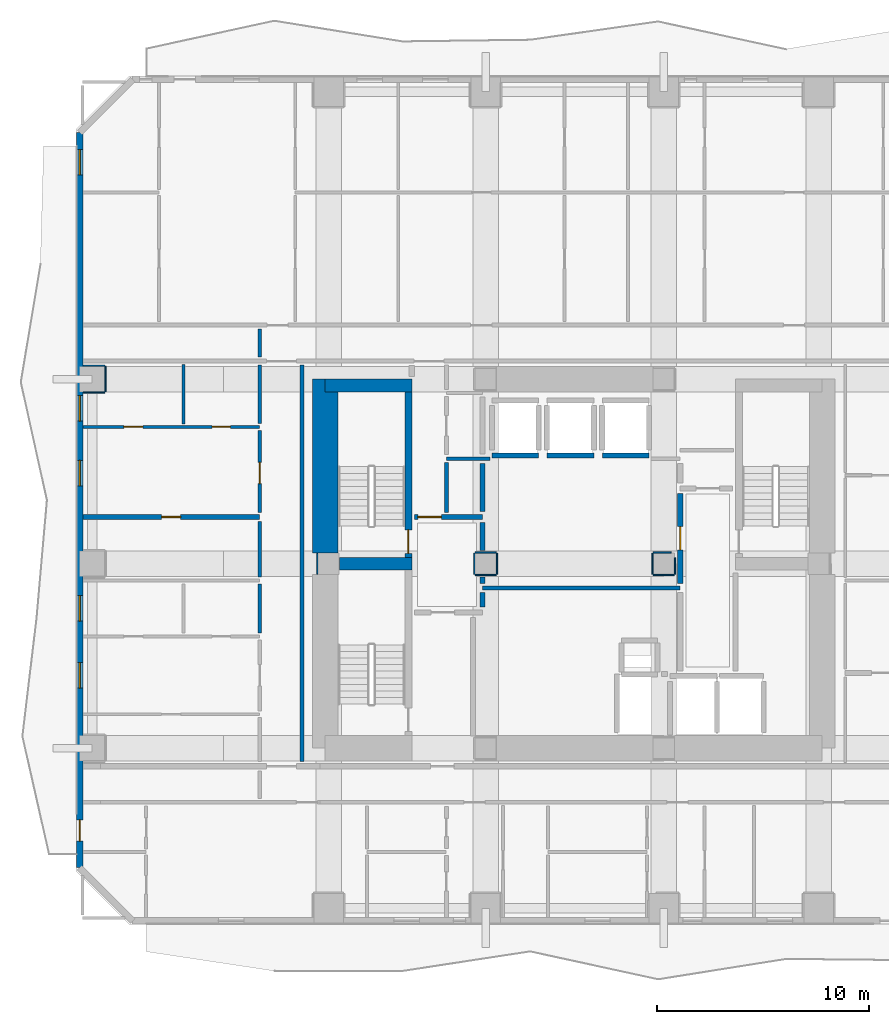
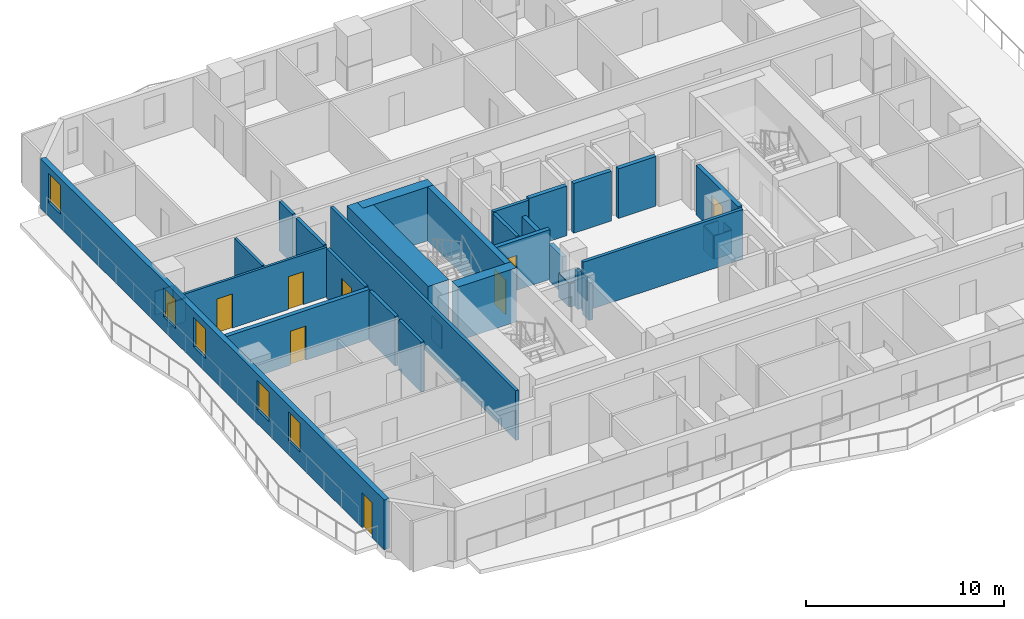
# One storey, part 4 of 12: 38 walls, 8 doors, 5 windows, 13 openings.
"""IFC4 building model written with IfcOpenShell, lengths in metres."""

from ifc_helpers import new_model, si_unit, direction, frame, frame_2d, origin, place, context, subcontext, project, spatial, rectangle, extrude, material, layer, layer_set, type_object, element, fill, save


model = new_model("IFC4")

# Units and contexts
model_context = context("Model", 3, precision=1e-05, world=origin(), true_north=direction((0.0, 1.0)))
body_context = subcontext(model_context, "Body", "Model", "MODEL_VIEW")
ifc_project = project(units=[si_unit("LENGTHUNIT", "METRE"), si_unit("AREAUNIT", "SQUARE_METRE"), si_unit("VOLUMEUNIT", "CUBIC_METRE"), si_unit("PLANEANGLEUNIT", "RADIAN"), si_unit("MASSUNIT", "GRAM", prefix="KILO")], contexts=[model_context])

# Site, building, storey
site_placement = place(None, origin())
site = spatial("IfcSite", under=ifc_project, at=site_placement, CompositionType="ELEMENT")
building_placement = place(site_placement, origin())
building = spatial("IfcBuilding", under=site, at=building_placement, Name="Solanera Arch Residences", CompositionType="ELEMENT")
storey_placement = place(building_placement, frame((0.0, 0.0, 81.760009765625)))
storey = spatial("IfcBuildingStorey", under=building, at=storey_placement, Name="L23", CompositionType="ELEMENT", Elevation=81.760009765625)

# Walls
ifc_material_1 = material(Name="Fire-Rated Gypsum Stud Partition", Category="gypsum")
ifc_layer_1 = layer(ifc_material_1, 0.06005859375)
ifc_layer_set_1 = layer_set([ifc_layer_1], Name="Fire-Rated Gypsum Stud Partition")
wall_type_1 = type_object("IfcWallType", Name="Column Acoustic Furring Wall 60", PredefinedType="PARTITIONING", material=ifc_layer_set_1)
wall_1_placement = place(storey_placement, frame((12.867919921875, 30.2099609375, 0.0), z_axis=(0.0, 0.0, 1.0), x_axis=(0.0, 1.0, 0.0)))
element("IfcWall", 1, at=wall_1_placement, inside=storey, type_object=wall_type_1, Name="L23 Column Furring 5W", PredefinedType="PARTITIONING", context=body_context, shape_type="SweptSolid", body=[
    extrude(rectangle(XDim=0.97998046875, YDim=0.06005859375, at=frame_2d((0.489990234375, 0.0))), origin(), (0.0, 0.0, 1.0), 1.449951171875),
])
for number, where, z_axis, x_axis, name in (
    (2, (20.300048828125, 30.16796875, 0.0), (0.0, 0.0, 1.0), (1.0, 0.0, 0.0), "L23 Column Furring 7S"),
    (3, (20.300048828125, 31.23193359375, 0.0), (0.0, 0.0, 1.0), (1.0, 0.0, 0.0), "L23 Column Furring 7N"),
    (4, (20.26806640625, 30.199951171875, 0.0), (0.0, 0.0, 1.0), (0.0, 1.0, 0.0), "L23 Column Furring 7W"),
    (5, (21.33203125, 30.199951171875, 0.0), (0.0, 0.0, 1.0), (0.0, 1.0, 0.0), "L23 Column Furring 7E"),
    (6, (28.699951171875, 30.16796875, 0.0), (0.0, 0.0, 1.0), (1.0, 0.0, 0.0), "L23 Column Furring 8S"),
):
    element("IfcWall", number, at=place(storey_placement, frame(where, z_axis=z_axis, x_axis=x_axis)), inside=storey, type_object=wall_type_1, Name=name, PredefinedType="PARTITIONING", context=body_context, shape_type="SweptSolid", body=[
        extrude(rectangle(XDim=1.0, YDim=0.06005859375, at=frame_2d((0.5, 0.0))), origin(), (0.0, 0.0, 1.0), 1.449951171875),
    ])
wall_2_placement = place(storey_placement, frame((28.699951171875, 31.23193359375, 0.0), z_axis=(0.0, 0.0, 1.0), x_axis=(1.0, 0.0, 0.0)))
element("IfcWall", 7, at=wall_2_placement, inside=storey, type_object=wall_type_1, Name="L23 Column Furring 8N", PredefinedType="PARTITIONING", context=body_context, shape_type="SweptSolid", body=[
    extrude(rectangle(XDim=0.841064453125, YDim=0.06005859375, at=frame_2d((0.42041015625, 0.0))), origin(), (0.0, 0.0, 1.0), 1.449951171875),
])
wall_3_placement = place(storey_placement, frame((28.66796875, 30.199951171875, 0.0), z_axis=(0.0, 0.0, 1.0), x_axis=(0.0, 1.0, 0.0)))
element("IfcWall", 8, at=wall_3_placement, inside=storey, type_object=wall_type_1, Name="L23 Column Furring 8W", PredefinedType="PARTITIONING", context=body_context, shape_type="SweptSolid", body=[
    extrude(rectangle(XDim=1.0, YDim=0.06005859375, at=frame_2d((0.5, 0.0))), origin(), (0.0, 0.0, 1.0), 1.449951171875),
])
wall_4_placement = place(storey_placement, frame((29.73193359375, 30.199951171875, 0.0), z_axis=(0.0, 0.0, 1.0), x_axis=(0.0, 1.0, 0.0)))
element("IfcWall", 9, at=wall_4_placement, inside=storey, type_object=wall_type_1, Name="L23 Column Furring 8E", PredefinedType="PARTITIONING", context=body_context, shape_type="SweptSolid", body=[
    extrude(rectangle(XDim=0.77197265625, YDim=0.06005859375, at=frame_2d((0.385986328125, 0.0))), origin(), (0.0, 0.0, 1.0), 1.449951171875),
])
for number, where, z_axis, x_axis, name in (
    (10, (1.830078125, 38.76806640625, 0.0), (0.0, 0.0, 1.0), (1.0, 0.0, 0.0), "L23 Column Furring 21S"),
    (11, (1.830078125, 40.031982421875, 0.0), (0.0, 0.0, 1.0), (1.0, 0.0, 0.0), "L23 Column Furring 21N"),
):
    element("IfcWall", number, at=place(storey_placement, frame(where, z_axis=z_axis, x_axis=x_axis)), inside=storey, type_object=wall_type_1, Name=name, PredefinedType="PARTITIONING", context=body_context, shape_type="SweptSolid", body=[
        extrude(rectangle(XDim=1.02001953125, YDim=0.06005859375, at=frame_2d((0.510009765625, 0.0))), origin(), (0.0, 0.0, 1.0), 1.449951171875),
    ])
wall_5_placement = place(storey_placement, frame((2.882080078125, 38.800048828125, 0.0), z_axis=(0.0, 0.0, 1.0), x_axis=(0.0, 1.0, 0.0)))
element("IfcWall", 12, at=wall_5_placement, inside=storey, type_object=wall_type_1, Name="L23 Column Furring 21E", PredefinedType="PARTITIONING", context=body_context, shape_type="SweptSolid", body=[
    extrude(rectangle(XDim=1.199951171875, YDim=0.06005859375, at=frame_2d((0.60009765625, 0.0))), origin(), (0.0, 0.0, 1.0), 1.449951171875),
])
ifc_material_2 = material(Name="Concrete C55/67 (f'c = 60 MPa)", Category="concrete")
ifc_layer_2 = layer(ifc_material_2, 1.199951171875)
ifc_layer_set_2 = layer_set([ifc_layer_2], Name="Concrete C55/67 (f'c = 60 MPa)")
wall_type_2 = type_object("IfcWallType", Name="Core Shear Wall CW-1200", PredefinedType="SHEAR", material=ifc_layer_set_2)
wall_6_placement = place(storey_placement, frame((13.239990234375, 31.205078125, 0.0), z_axis=(0.0, 0.0, 1.0), x_axis=(0.0, 1.0, 0.0)))
element("IfcWall", 13, at=wall_6_placement, inside=storey, type_object=wall_type_2, Name="L23 West Core North Shear Wall", PredefinedType="SHEAR", context=body_context, shape_type="SweptSolid", body=[
    extrude(rectangle(XDim=8.19482421875, YDim=1.199951171875, at=frame_2d((4.097412109375, 0.0))), origin(), (0.0, 0.0, 1.0), 3.320068359375),
])

# Wall, opening, door
ifc_material_3 = material(Name="Concrete C40/50 (f'c = 45 MPa)", Category="concrete")
ifc_layer_3 = layer(ifc_material_3, 0.320068359375)
ifc_layer_set_3 = layer_set([ifc_layer_3], Name="Concrete C40/50 (f'c = 45 MPa)")
wall_type_3 = type_object("IfcWallType", Name="Core Shear Wall CW-320", PredefinedType="SHEAR", material=ifc_layer_set_3)
wall_7_placement = place(storey_placement, frame((17.159912109375, 31.0, 0.0), z_axis=(0.0, 0.0, 1.0), x_axis=(0.0, 1.0, 0.0)))
wall_7 = element("IfcWall", 14, at=wall_7_placement, inside=storey, type_object=wall_type_3, Name="L23 Stair ST-T1 East Shear Wall", PredefinedType="SHEAR", context=body_context, shape_type="SweptSolid", body=[
    extrude(rectangle(XDim=7.800048828125, YDim=0.320068359375, at=frame_2d((3.89990234375, 0.0))), origin(), (0.0, 0.0, 1.0), 3.320068359375),
])
opening_1_placement = place(wall_7_placement, frame((0.18994140625, 0.0, 0.0)))
opening_1 = element("IfcOpeningElement", 15, at=opening_1_placement, cuts=wall_7, Name="Opening DF-01", PredefinedType="OPENING", context=body_context, shape_type="SweptSolid", body=[
    extrude(rectangle(XDim=1.10009765625, YDim=2.14990234375, at=frame_2d((0.550048828125, 1.074951171875))), frame((0.0, 0.169921875, 0.0), z_axis=(0.0, -1.0, 0.0), x_axis=(1.0, 0.0, 0.0)), (0.0, 0.0, 1.0), 0.3401),
])
ifc_material_4 = material(Name="Fire-Rated Architectural Hardwood", Category="wood")
door_type_1 = type_object("IfcDoorType", Name="Stair Exit Fire Door DF-01", OperationType="NOTDEFINED", PredefinedType="DOOR", material=ifc_material_4)
door_1_placement = place(opening_1_placement, origin())
door_1 = element("IfcDoor", 16, at=door_1_placement, inside=storey, type_object=door_type_1, Name="DR-L23-STAIR-ST-T1", OperationType="SINGLE_SWING_RIGHT", OverallHeight=2.14990234375, OverallWidth=1.10009765625, PredefinedType="DOOR", context=body_context, shape_type="SweptSolid", body=[
    extrude(rectangle(XDim=1.10009765625, YDim=2.14990234375, at=frame_2d((0.550048828125, 1.074951171875))), frame((0.0, 0.02490234375, 0.0), z_axis=(0.0, -1.0, 0.0), x_axis=(1.0, 0.0, 0.0)), (0.0, 0.0, 1.0), 0.050048828125),
])
fill(opening_1, door_1)

# Walls
ifc_material_5 = material(Name="Concrete C40/50 (f'c = 45 MPa)", Category="concrete")
ifc_layer_4 = layer(ifc_material_5, 0.60009765625)
ifc_layer_set_4 = layer_set([ifc_layer_4], Name="Concrete C40/50 (f'c = 45 MPa)")
wall_type_4 = type_object("IfcWallType", Name="Core Shear Wall CW-600", PredefinedType="SHEAR", material=ifc_layer_set_4)
wall_8_placement = place(storey_placement, frame((13.239990234375, 39.10009765625, 0.0), z_axis=(0.0, 0.0, 1.0), x_axis=(1.0, 0.0, 0.0)))
element("IfcWall", 17, at=wall_8_placement, inside=storey, type_object=wall_type_4, Name="L23 North-West Core Shear Wall", PredefinedType="SHEAR", context=body_context, shape_type="SweptSolid", body=[
    extrude(rectangle(XDim=4.080078125, YDim=0.60009765625, at=frame_2d((2.0400390625, 0.0))), origin(), (0.0, 0.0, 1.0), 3.320068359375),
])
wall_9_placement = place(storey_placement, frame((13.905029296875, 30.699951171875, 0.0), z_axis=(0.0, 0.0, 1.0), x_axis=(1.0, 0.0, 0.0)))
element("IfcWall", 18, at=wall_9_placement, inside=storey, type_object=wall_type_4, Name="L23 West Stair Divider Shear Wall", PredefinedType="SHEAR", context=body_context, shape_type="SweptSolid", body=[
    extrude(rectangle(XDim=3.4150390625, YDim=0.60009765625, at=frame_2d((1.70751953125, 0.0))), origin(), (0.0, 0.0, 1.0), 3.320068359375),
])
ifc_material_6 = material(Name="Autoclaved Aerated Concrete Blockwork", Category="masonry")
ifc_layer_5 = layer(ifc_material_6, 0.179931640625)
ifc_layer_set_5 = layer_set([ifc_layer_5], Name="Autoclaved Aerated Concrete Blockwork")
wall_type_5 = type_object("IfcWallType", Name="Corridor Fire Partition 180", PredefinedType="PARTITIONING", material=ifc_layer_set_5)
wall_10_placement = place(storey_placement, frame((20.64990234375, 29.550048828125, 0.0), z_axis=(0.0, 0.0, 1.0), x_axis=(1.0, 0.0, 0.0)))
element("IfcWall", 19, at=wall_10_placement, inside=storey, type_object=wall_type_5, Name="L23 Interior Partition H9", PredefinedType="PARTITIONING", context=body_context, shape_type="SweptSolid", body=[
    extrude(rectangle(XDim=9.3251953125, YDim=0.179931640625, at=frame_2d((4.66259765625, 0.0))), origin(), (0.0, 0.0, 1.0), 3.06005859375),
])
wall_11_placement = place(storey_placement, frame((18.949951171875, 35.64990234375, 0.0), z_axis=(0.0, 0.0, 1.0), x_axis=(1.0, 0.0, 0.0)))
element("IfcWall", 20, at=wall_11_placement, inside=storey, type_object=wall_type_5, Name="L23 Interior Partition H10 1", PredefinedType="PARTITIONING", context=body_context, shape_type="SweptSolid", body=[
    extrude(rectangle(XDim=2.05712890625, YDim=0.179931640625, at=frame_2d((1.028564453125, 0.0))), origin(), (0.0, 0.0, 1.0), 3.06005859375),
])
wall_12_placement = place(storey_placement, frame((10.14990234375, 27.443115234375, 0.0), z_axis=(0.0, 0.0, 1.0), x_axis=(0.0, 1.0, 0.0)))
element("IfcWall", 21, at=wall_12_placement, inside=storey, type_object=wall_type_5, Name="L23 Interior Partition V6 4", PredefinedType="PARTITIONING", context=body_context, shape_type="SweptSolid", body=[
    extrude(rectangle(XDim=2.288818359375, YDim=0.179931640625, at=frame_2d((1.14453125, 0.0))), origin(), (0.0, 0.0, 1.0), 3.06005859375),
])
wall_13_placement = place(storey_placement, frame((10.14990234375, 30.068115234375, 0.0), z_axis=(0.0, 0.0, 1.0), x_axis=(0.0, 1.0, 0.0)))
element("IfcWall", 22, at=wall_13_placement, inside=storey, type_object=wall_type_5, Name="L23 Interior Partition V6 5", PredefinedType="PARTITIONING", context=body_context, shape_type="SweptSolid", body=[
    extrude(rectangle(XDim=2.61376953125, YDim=0.179931640625, at=frame_2d((1.306884765625, 0.0))), origin(), (0.0, 0.0, 1.0), 3.06005859375),
])

# Wall, opening, door
wall_14_placement = place(storey_placement, frame((10.14990234375, 33.117919921875, 0.0), z_axis=(0.0, 0.0, 1.0), x_axis=(0.0, 1.0, 0.0)))
wall_14 = element("IfcWall", 23, at=wall_14_placement, inside=storey, type_object=wall_type_5, Name="L23 Interior Partition V6 6", PredefinedType="PARTITIONING", context=body_context, shape_type="SweptSolid", body=[
    extrude(rectangle(XDim=3.859130859375, YDim=0.179931640625, at=frame_2d((1.9296875, 0.0))), origin(), (0.0, 0.0, 1.0), 3.06005859375),
])
opening_2_placement = place(wall_14_placement, frame((1.35302734375, 0.0, 0.0)))
opening_2 = element("IfcOpeningElement", 24, at=opening_2_placement, cuts=wall_14, Name="Opening DI-01", PredefinedType="OPENING", context=body_context, shape_type="SweptSolid", body=[
    extrude(rectangle(XDim=1.0, YDim=2.14990234375, at=frame_2d((0.5, 1.074951171875))), frame((0.0, 0.10009765625, 0.0), z_axis=(0.0, -1.0, 0.0), x_axis=(1.0, 0.0, 0.0)), (0.0, 0.0, 1.0), 0.1999),
])
ifc_material_7 = material(Name="Fire-Rated Architectural Hardwood", Category="wood")
door_type_2 = type_object("IfcDoorType", Name="Unit Entrance Fire Door DI-01", OperationType="NOTDEFINED", PredefinedType="DOOR", material=ifc_material_7)
door_2_placement = place(opening_2_placement, origin())
door_2 = element("IfcDoor", 25, at=door_2_placement, inside=storey, type_object=door_type_2, Name="DR-L23-IN-046", OperationType="SINGLE_SWING_LEFT", OverallHeight=2.14990234375, OverallWidth=1.0, PredefinedType="DOOR", context=body_context, shape_type="SweptSolid", body=[
    extrude(rectangle(XDim=1.0, YDim=2.14990234375, at=frame_2d((0.5, 1.074951171875))), frame((0.0, 0.02490234375, 0.0), z_axis=(0.0, -1.0, 0.0), x_axis=(1.0, 0.0, 0.0)), (0.0, 0.0, 1.0), 0.050048828125),
])
fill(opening_2, door_2)

# Walls
wall_15_placement = place(storey_placement, frame((10.14990234375, 37.31298828125, 0.0), z_axis=(0.0, 0.0, 1.0), x_axis=(0.0, 1.0, 0.0)))
element("IfcWall", 26, at=wall_15_placement, inside=storey, type_object=wall_type_5, Name="L23 Interior Partition V6 7", PredefinedType="PARTITIONING", context=body_context, shape_type="SweptSolid", body=[
    extrude(rectangle(XDim=2.7490234375, YDim=0.179931640625, at=frame_2d((1.37451171875, 0.0))), origin(), (0.0, 0.0, 1.0), 3.06005859375),
])
wall_16_placement = place(storey_placement, frame((10.14990234375, 40.43798828125, 0.0), z_axis=(0.0, 0.0, 1.0), x_axis=(0.0, 1.0, 0.0)))
element("IfcWall", 27, at=wall_16_placement, inside=storey, type_object=wall_type_5, Name="L23 Interior Partition V6 8", PredefinedType="PARTITIONING", context=body_context, shape_type="SweptSolid", body=[
    extrude(rectangle(XDim=1.323974609375, YDim=0.179931640625, at=frame_2d((0.662109375, 0.0))), origin(), (0.0, 0.0, 1.0), 3.06005859375),
])
wall_17_placement = place(storey_placement, frame((12.14990234375, 21.367919921875, 0.0), z_axis=(0.0, 0.0, 1.0), x_axis=(0.0, 1.0, 0.0)))
element("IfcWall", 28, at=wall_17_placement, inside=storey, type_object=wall_type_5, Name="L23 Interior Partition V7", PredefinedType="PARTITIONING", context=body_context, shape_type="SweptSolid", body=[
    extrude(rectangle(XDim=18.694091796875, YDim=0.179931640625, at=frame_2d((9.34716796875, 0.0))), origin(), (0.0, 0.0, 1.0), 3.06005859375),
])
wall_18_placement = place(storey_placement, frame((18.949951171875, 33.117919921875, 0.0), z_axis=(0.0, 0.0, 1.0), x_axis=(0.0, 1.0, 0.0)))
element("IfcWall", 29, at=wall_18_placement, inside=storey, type_object=wall_type_5, Name="L23 Interior Partition V9 1", PredefinedType="PARTITIONING", context=body_context, shape_type="SweptSolid", body=[
    extrude(rectangle(XDim=2.343994140625, YDim=0.179931640625, at=frame_2d((1.171875, 0.0))), origin(), (0.0, 0.0, 1.0), 3.06005859375),
])

# Wall, openings, door, windows
ifc_material_8 = material(Name="Precast Concrete C35/45", Category="concrete")
ifc_layer_6 = layer(ifc_material_8, 0.300048828125)
ifc_layer_set_6 = layer_set([ifc_layer_6], Name="Precast Concrete C35/45")
wall_type_6 = type_object("IfcWallType", Name="Exterior Wall Precast Masonry-Frame 300", PredefinedType="STANDARD", material=ifc_layer_set_6)
wall_19_placement = place(storey_placement, frame((1.6650390625, 16.364990234375, 0.0), z_axis=(0.0, 0.0, 1.0), x_axis=(0.0, 1.0, 0.0)))
wall_19 = element("IfcWall", 30, at=wall_19_placement, inside=storey, type_object=wall_type_6, Name="L23 Tower Exterior Precast Masonry-Frame Wall W", PredefinedType="STANDARD", context=body_context, shape_type="SweptSolid", body=[
    extrude(rectangle(XDim=34.669921875, YDim=0.300048828125, at=frame_2d((17.3349609375, 0.0))), origin(), (0.0, 0.0, 1.0), 3.06005859375),
])
opening_3_placement = place(wall_19_placement, frame((1.2509765625, 0.0, 0.0)))
opening_3 = element("IfcOpeningElement", 31, at=opening_3_placement, cuts=wall_19, Name="Opening DB-01", PredefinedType="OPENING", context=body_context, shape_type="SweptSolid", body=[
    extrude(rectangle(XDim=1.0, YDim=2.14990234375, at=frame_2d((0.5, 1.074951171875))), frame((0.0, 0.159912109375, 0.0), z_axis=(0.0, -1.0, 0.0), x_axis=(1.0, 0.0, 0.0)), (0.0, 0.0, 1.0), 0.32),
])
opening_4_placement = place(wall_19_placement, frame((32.657958984375, 0.0, 0.85009765625)))
opening_4 = element("IfcOpeningElement", 32, at=opening_4_placement, cuts=wall_19, Name="Opening W-01", PredefinedType="OPENING", context=body_context, shape_type="SweptSolid", body=[
    extrude(rectangle(XDim=1.199951171875, YDim=1.800048828125, at=frame_2d((0.60009765625, 0.89990234375))), frame((0.0, 0.159912109375, 0.0), z_axis=(0.0, -1.0, 0.0), x_axis=(1.0, 0.0, 0.0)), (0.0, 0.0, 1.0), 0.32),
])
opening_5_placement = place(wall_19_placement, frame((8.472900390625, 0.0, 0.85009765625)))
opening_5 = element("IfcOpeningElement", 33, at=opening_5_placement, cuts=wall_19, Name="Opening W-01", PredefinedType="OPENING", context=body_context, shape_type="SweptSolid", body=[
    extrude(rectangle(XDim=1.199951171875, YDim=1.800048828125, at=frame_2d((0.60009765625, 0.89990234375))), frame((0.0, 0.159912109375, 0.0), z_axis=(0.0, -1.0, 0.0), x_axis=(1.0, 0.0, 0.0)), (0.0, 0.0, 1.0), 0.32),
])
opening_6_placement = place(wall_19_placement, frame((11.623046875, 0.0, 0.85009765625)))
opening_6 = element("IfcOpeningElement", 34, at=opening_6_placement, cuts=wall_19, Name="Opening W-01", PredefinedType="OPENING", context=body_context, shape_type="SweptSolid", body=[
    extrude(rectangle(XDim=1.199951171875, YDim=1.800048828125, at=frame_2d((0.60009765625, 0.89990234375))), frame((0.0, 0.159912109375, 0.0), z_axis=(0.0, -1.0, 0.0), x_axis=(1.0, 0.0, 0.0)), (0.0, 0.0, 1.0), 0.32),
])
opening_7_placement = place(wall_19_placement, frame((18.007080078125, 0.0, 0.85009765625)))
opening_7 = element("IfcOpeningElement", 35, at=opening_7_placement, cuts=wall_19, Name="Opening W-01", PredefinedType="OPENING", context=body_context, shape_type="SweptSolid", body=[
    extrude(rectangle(XDim=1.199951171875, YDim=1.800048828125, at=frame_2d((0.60009765625, 0.89990234375))), frame((0.0, 0.159912109375, 0.0), z_axis=(0.0, -1.0, 0.0), x_axis=(1.0, 0.0, 0.0)), (0.0, 0.0, 1.0), 0.32),
])
opening_8_placement = place(wall_19_placement, frame((21.05810546875, 0.0, 0.85009765625)))
opening_8 = element("IfcOpeningElement", 36, at=opening_8_placement, cuts=wall_19, Name="Opening W-01", PredefinedType="OPENING", context=body_context, shape_type="SweptSolid", body=[
    extrude(rectangle(XDim=1.199951171875, YDim=1.800048828125, at=frame_2d((0.60009765625, 0.89990234375))), frame((0.0, 0.159912109375, 0.0), z_axis=(0.0, -1.0, 0.0), x_axis=(1.0, 0.0, 0.0)), (0.0, 0.0, 1.0), 0.32),
])
ifc_material_9 = material(Name="Anodised Aluminium Alloy 6063-T6", Category="aluminium")
door_type_3 = type_object("IfcDoorType", Name="Glazed Balcony Swing Door DB-01", OperationType="NOTDEFINED", PredefinedType="DOOR", material=ifc_material_9)
door_3_placement = place(opening_3_placement, origin())
door_3 = element("IfcDoor", 37, at=door_3_placement, inside=storey, type_object=door_type_3, Name="DR-L23-OUT-04", OperationType="SINGLE_SWING_RIGHT", OverallHeight=2.14990234375, OverallWidth=1.0, PredefinedType="DOOR", context=body_context, shape_type="SweptSolid", body=[
    extrude(rectangle(XDim=1.0, YDim=2.14990234375, at=frame_2d((0.5, 1.074951171875))), frame((0.0, 0.02490234375, 0.0), z_axis=(0.0, -1.0, 0.0), x_axis=(1.0, 0.0, 0.0)), (0.0, 0.0, 1.0), 0.050048828125),
])
fill(opening_3, door_3)
ifc_material_10 = material(Name="Double Glazed Low-E Laminated Glass", Category="glass")
window_type = type_object("IfcWindowType", Name="Punched Window W-01", PartitioningType="SINGLE_PANEL", PredefinedType="WINDOW", material=ifc_material_10)
window_1_placement = place(opening_4_placement, origin())
window_1 = element("IfcWindow", 38, at=window_1_placement, inside=storey, type_object=window_type, Name="L23 2305-BR1 Punched Window", OverallHeight=1.800048828125, OverallWidth=1.199951171875, PartitioningType="SINGLE_PANEL", PredefinedType="WINDOW", context=body_context, shape_type="SweptSolid", body=[
    extrude(rectangle(XDim=1.199951171875, YDim=1.800048828125, at=frame_2d((0.60009765625, 0.89990234375))), frame((0.0, 0.030029296875, 0.0), z_axis=(0.0, -1.0, 0.0), x_axis=(1.0, 0.0, 0.0)), (0.0, 0.0, 1.0), 0.06005859375),
])
fill(opening_4, window_1)
window_2_placement = place(opening_5_placement, origin())
window_2 = element("IfcWindow", 39, at=window_2_placement, inside=storey, type_object=window_type, Name="L23 2308-LIV Punched Window", OverallHeight=1.800048828125, OverallWidth=1.199951171875, PartitioningType="SINGLE_PANEL", PredefinedType="WINDOW", context=body_context, shape_type="SweptSolid", body=[
    extrude(rectangle(XDim=1.199951171875, YDim=1.800048828125, at=frame_2d((0.60009765625, 0.89990234375))), frame((0.0, 0.030029296875, 0.0), z_axis=(0.0, -1.0, 0.0), x_axis=(1.0, 0.0, 0.0)), (0.0, 0.0, 1.0), 0.06005859375),
])
fill(opening_5, window_2)
window_3_placement = place(opening_6_placement, origin())
window_3 = element("IfcWindow", 40, at=window_3_placement, inside=storey, type_object=window_type, Name="L23 2308-BR1 Punched Window", OverallHeight=1.800048828125, OverallWidth=1.199951171875, PartitioningType="SINGLE_PANEL", PredefinedType="WINDOW", context=body_context, shape_type="SweptSolid", body=[
    extrude(rectangle(XDim=1.199951171875, YDim=1.800048828125, at=frame_2d((0.60009765625, 0.89990234375))), frame((0.0, 0.030029296875, 0.0), z_axis=(0.0, -1.0, 0.0), x_axis=(1.0, 0.0, 0.0)), (0.0, 0.0, 1.0), 0.06005859375),
])
fill(opening_6, window_3)
window_4_placement = place(opening_7_placement, origin())
window_4 = element("IfcWindow", 41, at=window_4_placement, inside=storey, type_object=window_type, Name="L23 2309-LIV Punched Window", OverallHeight=1.800048828125, OverallWidth=1.199951171875, PartitioningType="SINGLE_PANEL", PredefinedType="WINDOW", context=body_context, shape_type="SweptSolid", body=[
    extrude(rectangle(XDim=1.199951171875, YDim=1.800048828125, at=frame_2d((0.60009765625, 0.89990234375))), frame((0.0, 0.030029296875, 0.0), z_axis=(0.0, -1.0, 0.0), x_axis=(1.0, 0.0, 0.0)), (0.0, 0.0, 1.0), 0.06005859375),
])
fill(opening_7, window_4)
window_5_placement = place(opening_8_placement, origin())
window_5 = element("IfcWindow", 42, at=window_5_placement, inside=storey, type_object=window_type, Name="L23 2309-BR1 Punched Window", OverallHeight=1.800048828125, OverallWidth=1.199951171875, PartitioningType="SINGLE_PANEL", PredefinedType="WINDOW", context=body_context, shape_type="SweptSolid", body=[
    extrude(rectangle(XDim=1.199951171875, YDim=1.800048828125, at=frame_2d((0.60009765625, 0.89990234375))), frame((0.0, 0.030029296875, 0.0), z_axis=(0.0, -1.0, 0.0), x_axis=(1.0, 0.0, 0.0)), (0.0, 0.0, 1.0), 0.06005859375),
])
fill(opening_8, window_5)

# Walls
ifc_material_11 = material(Name="Autoclaved Aerated Concrete Blockwork", Category="masonry")
ifc_layer_7 = layer(ifc_material_11, 0.239990234375)
ifc_layer_set_7 = layer_set([ifc_layer_7], Name="Autoclaved Aerated Concrete Blockwork")
wall_type_7 = type_object("IfcWallType", Name="Shaft Wall Fire-Rated 240", PredefinedType="PARTITIONING", material=ifc_layer_set_7)
for number, where, z_axis, x_axis, name in (
    (43, (21.10009765625, 35.800048828125, 0.0), (0.0, 0.0, 1.0), (1.0, 0.0, 0.0), "L23 Lift PL-L1 Hoistway Wall S"),
    (44, (23.699951171875, 35.800048828125, 0.0), (0.0, 0.0, 1.0), (1.0, 0.0, 0.0), "L23 Lift PL-L2 Hoistway Wall S"),
    (45, (26.300048828125, 35.800048828125, 0.0), (0.0, 0.0, 1.0), (1.0, 0.0, 0.0), "L23 Lift PL-L3 Hoistway Wall S"),
):
    element("IfcWall", number, at=place(storey_placement, frame(where, z_axis=z_axis, x_axis=x_axis)), inside=storey, type_object=wall_type_7, Name=name, PredefinedType="PARTITIONING", context=body_context, shape_type="SweptSolid", body=[
        extrude(rectangle(XDim=2.199951171875, YDim=0.239990234375, at=frame_2d((1.10009765625, 0.0))), origin(), (0.0, 0.0, 1.0), 3.06005859375),
    ])

# Wall, opening, door
wall_20_placement = place(storey_placement, frame((1.826904296875, 32.89990234375, 0.0), z_axis=(0.0, 0.0, 1.0), x_axis=(1.0, 0.0, 0.0)))
wall_20 = element("IfcWall", 46, at=wall_20_placement, inside=storey, type_object=wall_type_7, Name="L23 Interior Partition H5", PredefinedType="PARTITIONING", context=body_context, shape_type="SweptSolid", body=[
    extrude(rectangle(XDim=8.322998046875, YDim=0.239990234375, at=frame_2d((4.16162109375, 0.0))), origin(), (0.0, 0.0, 1.0), 3.06005859375),
])
opening_9_placement = place(wall_20_placement, frame((3.697998046875, 0.0, 0.0)))
opening_9 = element("IfcOpeningElement", 47, at=opening_9_placement, cuts=wall_20, Name="Opening DI-02", PredefinedType="OPENING", context=body_context, shape_type="SweptSolid", body=[
    extrude(rectangle(XDim=0.89990234375, YDim=2.10009765625, at=frame_2d((0.449951171875, 1.050048828125))), frame((0.0, 0.1298828125, 0.0), z_axis=(0.0, -1.0, 0.0), x_axis=(1.0, 0.0, 0.0)), (0.0, 0.0, 1.0), 0.26),
])
ifc_material_12 = material(Name="Fire-Rated Architectural Hardwood", Category="wood")
door_type_4 = type_object("IfcDoorType", Name="Suite Room Swing Door DI-02", OperationType="NOTDEFINED", PredefinedType="DOOR", material=ifc_material_12)
door_4_placement = place(opening_9_placement, origin())
door_4 = element("IfcDoor", 48, at=door_4_placement, inside=storey, type_object=door_type_4, Name="DR-L23-IN-047", OperationType="SINGLE_SWING_RIGHT", OverallHeight=2.10009765625, OverallWidth=0.89990234375, PredefinedType="DOOR", context=body_context, shape_type="SweptSolid", body=[
    extrude(rectangle(XDim=0.89990234375, YDim=2.10009765625, at=frame_2d((0.449951171875, 1.050048828125))), frame((0.0, 0.02490234375, 0.0), z_axis=(0.0, -1.0, 0.0), x_axis=(1.0, 0.0, 0.0)), (0.0, 0.0, 1.0), 0.050048828125),
])
fill(opening_9, door_4)

wall_21_placement = place(storey_placement, frame((17.449951171875, 32.89990234375, 0.0), z_axis=(0.0, 0.0, 1.0), x_axis=(1.0, 0.0, 0.0)))
wall_21 = element("IfcWall", 49, at=wall_21_placement, inside=storey, type_object=wall_type_7, Name="L23 Interior Partition H6", PredefinedType="PARTITIONING", context=body_context, shape_type="SweptSolid", body=[
    extrude(rectangle(XDim=3.199951171875, YDim=0.239990234375, at=frame_2d((1.60009765625, 0.0))), origin(), (0.0, 0.0, 1.0), 3.06005859375),
])
opening_10_placement = place(wall_21_placement, frame((0.158935546875, 0.0, 0.0)))
opening_10 = element("IfcOpeningElement", 50, at=opening_10_placement, cuts=wall_21, Name="Opening DF-02", PredefinedType="OPENING", context=body_context, shape_type="SweptSolid", body=[
    extrude(rectangle(XDim=1.10009765625, YDim=2.14990234375, at=frame_2d((0.550048828125, 1.074951171875))), frame((0.0, 0.1298828125, 0.0), z_axis=(0.0, -1.0, 0.0), x_axis=(1.0, 0.0, 0.0)), (0.0, 0.0, 1.0), 0.26),
])
ifc_material_13 = material(Name="Fire-Rated Architectural Hardwood", Category="wood")
door_type_5 = type_object("IfcDoorType", Name="Firefighting Lobby Fire Door DF-02", OperationType="NOTDEFINED", PredefinedType="DOOR", material=ifc_material_13)
door_5_placement = place(opening_10_placement, origin())
door_5 = element("IfcDoor", 51, at=door_5_placement, inside=storey, type_object=door_type_5, Name="DR-L23-IN-005", OperationType="SINGLE_SWING_RIGHT", OverallHeight=2.14990234375, OverallWidth=1.10009765625, PredefinedType="DOOR", context=body_context, shape_type="SweptSolid", body=[
    extrude(rectangle(XDim=1.10009765625, YDim=2.14990234375, at=frame_2d((0.550048828125, 1.074951171875))), frame((0.0, 0.02490234375, 0.0), z_axis=(0.0, -1.0, 0.0), x_axis=(1.0, 0.0, 0.0)), (0.0, 0.0, 1.0), 0.050048828125),
])
fill(opening_10, door_5)

# Walls
wall_22_placement = place(storey_placement, frame((20.64990234375, 28.64794921875, 0.0), z_axis=(0.0, 0.0, 1.0), x_axis=(0.0, 1.0, 0.0)))
element("IfcWall", 52, at=wall_22_placement, inside=storey, type_object=wall_type_7, Name="L23 Interior Partition V3 1", PredefinedType="PARTITIONING", context=body_context, shape_type="SweptSolid", body=[
    extrude(rectangle(XDim=0.68408203125, YDim=0.239990234375, at=frame_2d((0.342041015625, 0.0))), origin(), (0.0, 0.0, 1.0), 2.294921875),
])
wall_23_placement = place(storey_placement, frame((20.64990234375, 29.76806640625, 0.0), z_axis=(0.0, 0.0, 1.0), x_axis=(0.0, 1.0, 0.0)))
element("IfcWall", 53, at=wall_23_placement, inside=storey, type_object=wall_type_7, Name="L23 Interior Partition V3 2", PredefinedType="PARTITIONING", context=body_context, shape_type="SweptSolid", body=[
    extrude(rectangle(XDim=0.300048828125, YDim=0.239990234375, at=frame_2d((0.14990234375, 0.0))), origin(), (0.0, 0.0, 1.0), 2.294921875),
])
wall_24_placement = place(storey_placement, frame((20.64990234375, 31.33203125, 0.0), z_axis=(0.0, 0.0, 1.0), x_axis=(0.0, 1.0, 0.0)))
element("IfcWall", 54, at=wall_24_placement, inside=storey, type_object=wall_type_7, Name="L23 Interior Partition V3 3", PredefinedType="PARTITIONING", context=body_context, shape_type="SweptSolid", body=[
    extrude(rectangle(XDim=1.320068359375, YDim=0.239990234375, at=frame_2d((0.66015625, 0.0))), origin(), (0.0, 0.0, 1.0), 2.294921875),
])
wall_25_placement = place(storey_placement, frame((20.64990234375, 33.14794921875, 0.0), z_axis=(0.0, 0.0, 1.0), x_axis=(0.0, 1.0, 0.0)))
element("IfcWall", 55, at=wall_25_placement, inside=storey, type_object=wall_type_7, Name="L23 Interior Partition V3 4", PredefinedType="PARTITIONING", context=body_context, shape_type="SweptSolid", body=[
    extrude(rectangle(XDim=2.283935546875, YDim=0.239990234375, at=frame_2d((1.14208984375, 0.0))), origin(), (0.0, 0.0, 1.0), 2.294921875),
])

# Wall, opening, door
wall_26_placement = place(storey_placement, frame((29.97509765625, 29.76806640625, 0.0), z_axis=(0.0, 0.0, 1.0), x_axis=(0.0, 1.0, 0.0)))
wall_26 = element("IfcWall", 56, at=wall_26_placement, inside=storey, type_object=wall_type_7, Name="L23 Interior Partition V4 2", PredefinedType="PARTITIONING", context=body_context, shape_type="SweptSolid", body=[
    extrude(rectangle(XDim=4.23388671875, YDim=0.239990234375, at=frame_2d((2.116943359375, 0.0))), origin(), (0.0, 0.0, 1.0), 3.06005859375),
])
opening_11_placement = place(wall_26_placement, frame((1.58203125, 0.0, 0.0)))
opening_11 = element("IfcOpeningElement", 57, at=opening_11_placement, cuts=wall_26, Name="Opening DF-02", PredefinedType="OPENING", context=body_context, shape_type="SweptSolid", body=[
    extrude(rectangle(XDim=1.10009765625, YDim=2.14990234375, at=frame_2d((0.550048828125, 1.074951171875))), frame((0.0, 0.1298828125, 0.0), z_axis=(0.0, -1.0, 0.0), x_axis=(1.0, 0.0, 0.0)), (0.0, 0.0, 1.0), 0.26),
])
door_6_placement = place(opening_11_placement, origin())
door_6 = element("IfcDoor", 58, at=door_6_placement, inside=storey, type_object=door_type_5, Name="DR-L23-IN-006", OperationType="SINGLE_SWING_LEFT", OverallHeight=2.14990234375, OverallWidth=1.10009765625, PredefinedType="DOOR", context=body_context, shape_type="SweptSolid", body=[
    extrude(rectangle(XDim=1.10009765625, YDim=2.14990234375, at=frame_2d((0.550048828125, 1.074951171875))), frame((0.0, 0.02490234375, 0.0), z_axis=(0.0, -1.0, 0.0), x_axis=(1.0, 0.0, 0.0)), (0.0, 0.0, 1.0), 0.050048828125),
])
fill(opening_11, door_6)

# Wall, openings, doors
ifc_material_14 = material(Name="Autoclaved Aerated Concrete Blockwork", Category="masonry")
ifc_layer_8 = layer(ifc_material_14, 0.139892578125)
ifc_layer_set_8 = layer_set([ifc_layer_8], Name="Autoclaved Aerated Concrete Blockwork")
wall_type_8 = type_object("IfcWallType", Name="Wet-Room Partition 140", PredefinedType="PARTITIONING", material=ifc_layer_set_8)
wall_27_placement = place(storey_placement, frame((1.826904296875, 37.14501953125, 0.0), z_axis=(0.0, 0.0, 1.0), x_axis=(1.0, 0.0, 0.0)))
wall_27 = element("IfcWall", 59, at=wall_27_placement, inside=storey, type_object=wall_type_8, Name="L23 Interior Partition H23", PredefinedType="PARTITIONING", context=body_context, shape_type="SweptSolid", body=[
    extrude(rectangle(XDim=8.322998046875, YDim=0.139892578125, at=frame_2d((4.16162109375, 0.0))), origin(), (0.0, 0.0, 1.0), 3.06005859375),
])
opening_12_placement = place(wall_27_placement, frame((6.0849609375, 0.0, 0.0)))
opening_12 = element("IfcOpeningElement", 60, at=opening_12_placement, cuts=wall_27, Name="Opening DI-05", PredefinedType="OPENING", context=body_context, shape_type="SweptSolid", body=[
    extrude(rectangle(XDim=0.860107421875, YDim=2.02001953125, at=frame_2d((0.43017578125, 1.010009765625))), frame((0.0, 0.079833984375, 0.0), z_axis=(0.0, -1.0, 0.0), x_axis=(1.0, 0.0, 0.0)), (0.0, 0.0, 1.0), 0.1599),
])
opening_13_placement = place(wall_27_placement, frame((1.9150390625, 0.0, 0.0)))
opening_13 = element("IfcOpeningElement", 61, at=opening_13_placement, cuts=wall_27, Name="Opening DI-03", PredefinedType="OPENING", context=body_context, shape_type="SweptSolid", body=[
    extrude(rectangle(XDim=0.89990234375, YDim=2.10009765625, at=frame_2d((0.449951171875, 1.050048828125))), frame((0.0, 0.079833984375, 0.0), z_axis=(0.0, -1.0, 0.0), x_axis=(1.0, 0.0, 0.0)), (0.0, 0.0, 1.0), 0.1599),
])
ifc_material_15 = material(Name="Fire-Rated Architectural Hardwood", Category="wood")
door_type_6 = type_object("IfcDoorType", Name="Bathroom Swing Door DI-05", OperationType="NOTDEFINED", PredefinedType="DOOR", material=ifc_material_15)
door_7_placement = place(opening_12_placement, origin())
door_7 = element("IfcDoor", 62, at=door_7_placement, inside=storey, type_object=door_type_6, Name="DR-L23-IN-048", OperationType="SINGLE_SWING_LEFT", OverallHeight=2.02001953125, OverallWidth=0.860107421875, PredefinedType="DOOR", context=body_context, shape_type="SweptSolid", body=[
    extrude(rectangle(XDim=0.860107421875, YDim=2.02001953125, at=frame_2d((0.43017578125, 1.010009765625))), frame((0.0, 0.02490234375, 0.0), z_axis=(0.0, -1.0, 0.0), x_axis=(1.0, 0.0, 0.0)), (0.0, 0.0, 1.0), 0.050048828125),
])
fill(opening_12, door_7)
ifc_material_16 = material(Name="Fire-Rated Architectural Hardwood", Category="wood")
door_type_7 = type_object("IfcDoorType", Name="Bedroom Swing Door DI-03", OperationType="NOTDEFINED", PredefinedType="DOOR", material=ifc_material_16)
door_8_placement = place(opening_13_placement, origin())
door_8 = element("IfcDoor", 63, at=door_8_placement, inside=storey, type_object=door_type_7, Name="DR-L23-IN-049", OperationType="SINGLE_SWING_RIGHT", OverallHeight=2.10009765625, OverallWidth=0.89990234375, PredefinedType="DOOR", context=body_context, shape_type="SweptSolid", body=[
    extrude(rectangle(XDim=0.89990234375, YDim=2.10009765625, at=frame_2d((0.449951171875, 1.050048828125))), frame((0.0, 0.02490234375, 0.0), z_axis=(0.0, -1.0, 0.0), x_axis=(1.0, 0.0, 0.0)), (0.0, 0.0, 1.0), 0.050048828125),
])
fill(opening_13, door_8)

# Wall
wall_28_placement = place(storey_placement, frame((6.55908203125, 37.29296875, 0.0), z_axis=(0.0, 0.0, 1.0), x_axis=(0.0, 1.0, 0.0)))
element("IfcWall", 64, at=wall_28_placement, inside=storey, type_object=wall_type_8, Name="L23 Interior Partition V17", PredefinedType="PARTITIONING", context=body_context, shape_type="SweptSolid", body=[
    extrude(rectangle(XDim=2.7890625, YDim=0.139892578125, at=frame_2d((1.39453125, 0.0))), origin(), (0.0, 0.0, 1.0), 3.06005859375),
])

save(model, "model.ifc")
